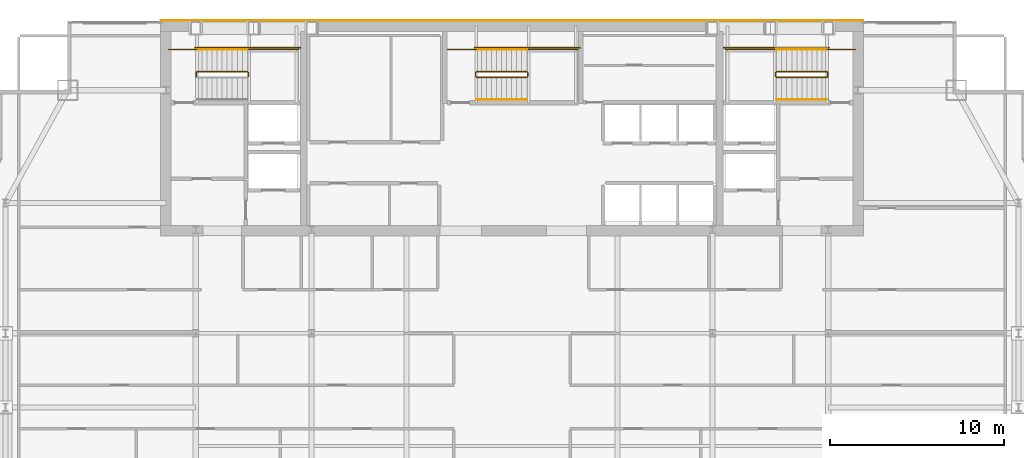
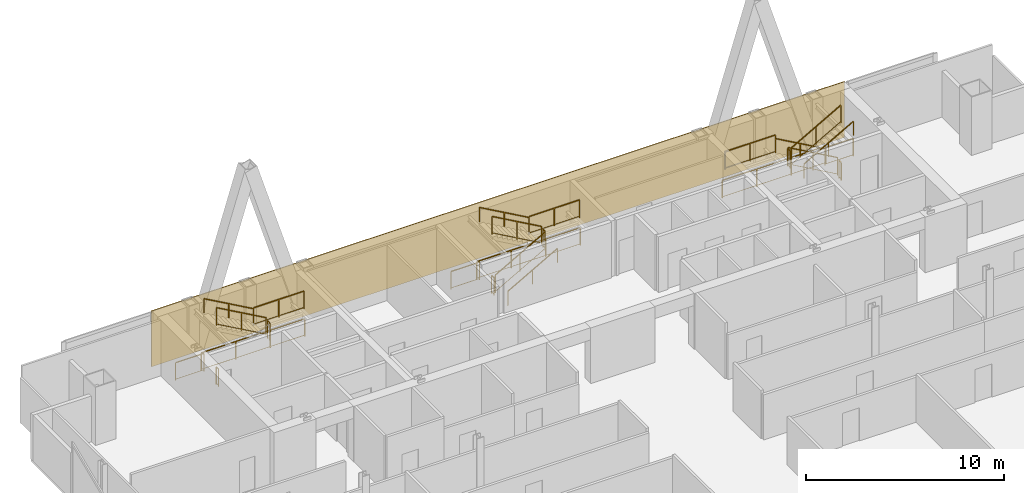
# One storey, part 32 of 32: 25 railings, 1 covering.
"""IFC4 building model written with IfcOpenShell, lengths in metres."""

from ifc_helpers import new_model, si_unit, direction, frame, origin, origin_2d, place, context, subcontext, project, spatial, polyline, rectangle, outline, extrude, material, layer, layer_set, type_object, element, save


model = new_model("IFC4")

# Units and contexts
model_context = context("Model", 3, precision=1e-05, world=origin(), true_north=direction((0.0, 1.0)))
body_context = subcontext(model_context, "Body", "Model", "MODEL_VIEW")
ifc_project = project(units=[si_unit("LENGTHUNIT", "METRE"), si_unit("AREAUNIT", "SQUARE_METRE"), si_unit("VOLUMEUNIT", "CUBIC_METRE"), si_unit("PLANEANGLEUNIT", "RADIAN"), si_unit("MASSUNIT", "GRAM", prefix="KILO")], contexts=[model_context])

# Site, building, storey
site_placement = place(None, origin())
site = spatial("IfcSite", under=ifc_project, at=site_placement, CompositionType="ELEMENT")
building_placement = place(site_placement, origin())
building = spatial("IfcBuilding", under=site, at=building_placement, Name="Khoronbel Lancet Exchange", CompositionType="ELEMENT")
storey_placement = place(building_placement, frame((0.0, 0.0, 221.0)))
storey = spatial("IfcBuildingStorey", under=building, at=storey_placement, Name="L56", CompositionType="ELEMENT", Elevation=221.0)

# Covering
ifc_material_1 = material(Name="Honed Egyptian Limestone & Bronze Rainscreen", Category="masonry")
ifc_layer = layer(ifc_material_1, 0.050048828125, Name="Honed Egyptian Limestone & Bronze Rainscreen")
ifc_layer_set = layer_set([ifc_layer], Name="Honed Egyptian Limestone & Bronze Rainscreen")
covering_type = type_object("IfcCoveringType", Name="COV-CLAD1", PredefinedType="CLADDING", material=ifc_layer_set)
covering_placement = place(storey_placement, origin())
element("IfcCovering", 1, at=covering_placement, inside=storey, type_object=covering_type, Name="Level L56 north rear-core stone and bronze rainscreen cladding", PredefinedType="CLADDING", context=body_context, shape_type="SweptSolid", body=[
    extrude(outline(polyline([(16.199951171875, 53.699951171875), (56.699951171875, 53.699951171875), (56.699951171875, 53.75), (16.199951171875, 53.75), (16.199951171875, 53.699951171875)])), origin(), (0.0, 0.0, 1.0), 3.43994140625),
])

# Railings
ifc_material_2 = material(Name="Painted Steel Balustrade", Category="steel")
railing_type_1 = type_object("IfcRailingType", Name="RL-STG110", PredefinedType="GUARDRAIL", material=ifc_material_2)
railing_1_placement = place(storey_placement, frame((21.25, 50.5, 1.800048828125)))
element("IfcRailing", 2, at=railing_1_placement, inside=storey, type_object=railing_type_1, Name="L56 ST1 stair guard 2", PredefinedType="GUARDRAIL", context=body_context, shape_type="SweptSolid", body=[
    extrude(rectangle(XDim=0.048095703125, YDim=0.048095703125, at=origin_2d()), frame((0.0, 0.0, 1.09619140625), z_axis=(0.0, 1.0, 0.0), x_axis=(-1.0, 0.0, 0.0)), (0.0, 0.0, 1.0), 0.219970703125),
    extrude(rectangle(XDim=0.02392578125, YDim=0.02392578125, at=origin_2d()), frame((0.0, 0.0, 0.080078125), z_axis=(0.0, 1.0, 0.0), x_axis=(-1.0, 0.0, 0.0)), (0.0, 0.0, 1.0), 0.219970703125),
    extrude(rectangle(XDim=0.0419921875, YDim=0.0419921875, at=origin_2d()), origin(), (0.0, 0.0, 1.0), 1.072021484375),
    extrude(rectangle(XDim=0.0419921875, YDim=0.0419921875, at=origin_2d()), frame((0.0, 0.219970703125, 0.0)), (0.0, 0.0, 1.0), 1.072021484375),
])
railing_2_placement = place(storey_placement, frame((21.199951171875, 52.050048828125, 1.800048828125)))
element("IfcRailing", 3, at=railing_2_placement, inside=storey, type_object=railing_type_1, Name="L56 ST1 stair guard 3", PredefinedType="GUARDRAIL", context=body_context, shape_type="SweptSolid", body=[
    extrude(rectangle(XDim=0.048095703125, YDim=0.048095703125, at=origin_2d()), frame((0.0, 0.0, 1.09619140625), z_axis=(1.0, 0.0, 0.0), x_axis=(0.0, 1.0, 0.0)), (0.0, 0.0, 1.0), 2.949951171875),
    extrude(rectangle(XDim=0.02392578125, YDim=0.02392578125, at=origin_2d()), frame((0.0, 0.0, 0.080078125), z_axis=(1.0, 0.0, 0.0), x_axis=(0.0, 1.0, 0.0)), (0.0, 0.0, 1.0), 2.949951171875),
    extrude(rectangle(XDim=0.0419921875, YDim=0.0419921875, at=origin_2d()), origin(), (0.0, 0.0, 1.0), 1.072021484375),
    extrude(rectangle(XDim=0.0419921875, YDim=0.0419921875, at=origin_2d()), frame((1.47509765625, 0.0, 0.0)), (0.0, 0.0, 1.0), 1.072021484375),
    extrude(rectangle(XDim=0.0419921875, YDim=0.0419921875, at=origin_2d()), frame((2.949951171875, 0.0, 0.0)), (0.0, 0.0, 1.0), 1.072021484375),
])
railing_3_placement = place(storey_placement, frame((21.199951171875, 50.77001953125, 1.963623046875)))
element("IfcRailing", 4, at=railing_3_placement, inside=storey, type_object=railing_type_1, Name="L56 ST1 stair guard 4", PredefinedType="GUARDRAIL", context=body_context, shape_type="SweptSolid", body=[
    extrude(rectangle(XDim=0.048095703125, YDim=0.048095703125, at=origin_2d()), frame((0.0, 0.0, 1.09619140625), z_axis=(-0.870897200241, 0.0, 0.491465224214), x_axis=(0.0, -1.0, 0.0)), (0.0, 0.0, 1.0), 3.329833984375),
    extrude(rectangle(XDim=0.02392578125, YDim=0.02392578125, at=origin_2d()), frame((0.0, 0.0, 0.080078125), z_axis=(-0.870897200241, 0.0, 0.491465224214), x_axis=(0.0, -1.0, 0.0)), (0.0, 0.0, 1.0), 3.329833984375),
    extrude(rectangle(XDim=0.0419921875, YDim=0.0419921875, at=origin_2d()), origin(), (0.0, 0.0, 1.0), 1.072021484375),
    extrude(rectangle(XDim=0.0419921875, YDim=0.0419921875, at=origin_2d()), frame((-1.449951171875, 0.0, 0.818359375)), (0.0, 0.0, 1.0), 1.072021484375),
    extrude(rectangle(XDim=0.0419921875, YDim=0.0419921875, at=origin_2d()), frame((-2.89990234375, 0.0, 1.636474609375)), (0.0, 0.0, 1.0), 1.072021484375),
])
railing_4_placement = place(storey_placement, frame((18.25, 50.5, 0.0)))
element("IfcRailing", 5, at=railing_4_placement, inside=storey, type_object=railing_type_1, Name="L56 ST1 stair guard 5", PredefinedType="GUARDRAIL", context=body_context, shape_type="SweptSolid", body=[
    extrude(rectangle(XDim=0.048095703125, YDim=0.048095703125, at=origin_2d()), frame((0.0, 0.0, 1.09619140625), z_axis=(0.0, 1.0, 0.0), x_axis=(-1.0, 0.0, 0.0)), (0.0, 0.0, 1.0), 0.219970703125),
    extrude(rectangle(XDim=0.02392578125, YDim=0.02392578125, at=origin_2d()), frame((0.0, 0.0, 0.080078125), z_axis=(0.0, 1.0, 0.0), x_axis=(-1.0, 0.0, 0.0)), (0.0, 0.0, 1.0), 0.219970703125),
    extrude(rectangle(XDim=0.0419921875, YDim=0.0419921875, at=origin_2d()), origin(), (0.0, 0.0, 1.0), 1.072021484375),
    extrude(rectangle(XDim=0.0419921875, YDim=0.0419921875, at=origin_2d()), frame((0.0, 0.219970703125, 0.0)), (0.0, 0.0, 1.0), 1.072021484375),
])
railing_5_placement = place(storey_placement, frame((16.64990234375, 52.050048828125, 0.0)))
element("IfcRailing", 6, at=railing_5_placement, inside=storey, type_object=railing_type_1, Name="L56 ST1 stair guard 6", PredefinedType="GUARDRAIL", context=body_context, shape_type="SweptSolid", body=[
    extrude(rectangle(XDim=0.048095703125, YDim=0.048095703125, at=origin_2d()), frame((0.0, 0.0, 1.09619140625), z_axis=(1.0, 0.0, 0.0), x_axis=(0.0, 1.0, 0.0)), (0.0, 0.0, 1.0), 1.650146484375),
    extrude(rectangle(XDim=0.02392578125, YDim=0.02392578125, at=origin_2d()), frame((0.0, 0.0, 0.080078125), z_axis=(1.0, 0.0, 0.0), x_axis=(0.0, 1.0, 0.0)), (0.0, 0.0, 1.0), 1.650146484375),
    extrude(rectangle(XDim=0.0419921875, YDim=0.0419921875, at=origin_2d()), origin(), (0.0, 0.0, 1.0), 1.072021484375),
    extrude(rectangle(XDim=0.0419921875, YDim=0.0419921875, at=origin_2d()), frame((1.650146484375, 0.0, 0.0)), (0.0, 0.0, 1.0), 1.072021484375),
])
railing_6_placement = place(storey_placement, frame((18.199951171875, 52.14990234375, 0.0)))
element("IfcRailing", 7, at=railing_6_placement, inside=storey, type_object=railing_type_1, Name="L56 ST1 stair guard 7", PredefinedType="GUARDRAIL", context=body_context, shape_type="SweptSolid", body=[
    extrude(rectangle(XDim=0.048095703125, YDim=0.048095703125, at=origin_2d()), frame((0.0, 0.0, 1.09619140625), z_axis=(1.0, 0.0, 0.0), x_axis=(0.0, 1.0, 0.0)), (0.0, 0.0, 1.0), 6.050048828125),
    extrude(rectangle(XDim=0.02392578125, YDim=0.02392578125, at=origin_2d()), frame((0.0, 0.0, 0.080078125), z_axis=(1.0, 0.0, 0.0), x_axis=(0.0, 1.0, 0.0)), (0.0, 0.0, 1.0), 6.050048828125),
    extrude(rectangle(XDim=0.0419921875, YDim=0.0419921875, at=origin_2d()), origin(), (0.0, 0.0, 1.0), 1.072021484375),
    extrude(rectangle(XDim=0.0419921875, YDim=0.0419921875, at=origin_2d()), frame((2.0166015625, 0.0, 0.0)), (0.0, 0.0, 1.0), 1.072021484375),
    extrude(rectangle(XDim=0.0419921875, YDim=0.0419921875, at=origin_2d()), frame((4.033447265625, 0.0, 0.0)), (0.0, 0.0, 1.0), 1.072021484375),
    extrude(rectangle(XDim=0.0419921875, YDim=0.0419921875, at=origin_2d()), frame((6.050048828125, 0.0, 0.0)), (0.0, 0.0, 1.0), 1.072021484375),
])
railing_7_placement = place(storey_placement, frame((54.60009765625, 50.77001953125, 0.16357421875)))
element("IfcRailing", 8, at=railing_7_placement, inside=storey, type_object=railing_type_1, Name="L56 ST2 stair guard 1", PredefinedType="GUARDRAIL", context=body_context, shape_type="SweptSolid", body=[
    extrude(rectangle(XDim=0.048095703125, YDim=0.048095703125, at=origin_2d()), frame((0.0, 0.0, 1.09619140625), z_axis=(-0.870914908162, 0.0, 0.491433843708), x_axis=(0.0, -1.0, 0.0)), (0.0, 0.0, 1.0), 3.330078125),
    extrude(rectangle(XDim=0.02392578125, YDim=0.02392578125, at=origin_2d()), frame((0.0, 0.0, 0.080078125), z_axis=(-0.870914908162, 0.0, 0.491433843708), x_axis=(0.0, -1.0, 0.0)), (0.0, 0.0, 1.0), 3.330078125),
    extrude(rectangle(XDim=0.0419921875, YDim=0.0419921875, at=origin_2d()), origin(), (0.0, 0.0, 1.0), 1.072021484375),
    extrude(rectangle(XDim=0.0419921875, YDim=0.0419921875, at=origin_2d()), frame((-1.4501953125, 0.0, 0.818359375)), (0.0, 0.0, 1.0), 1.072021484375),
    extrude(rectangle(XDim=0.0419921875, YDim=0.0419921875, at=origin_2d()), frame((-2.900146484375, 0.0, 1.636474609375)), (0.0, 0.0, 1.0), 1.072021484375),
])
railing_8_placement = place(storey_placement, frame((51.64990234375, 50.719970703125, 1.800048828125)))
element("IfcRailing", 9, at=railing_8_placement, inside=storey, type_object=railing_type_1, Name="L56 ST2 stair guard 2", PredefinedType="GUARDRAIL", context=body_context, shape_type="SweptSolid", body=[
    extrude(rectangle(XDim=0.048095703125, YDim=0.048095703125, at=origin_2d()), frame((0.0, 0.0, 1.09619140625), z_axis=(0.0, -1.0, 0.0), x_axis=(1.0, 0.0, 0.0)), (0.0, 0.0, 1.0), 0.219970703125),
    extrude(rectangle(XDim=0.02392578125, YDim=0.02392578125, at=origin_2d()), frame((0.0, 0.0, 0.080078125), z_axis=(0.0, -1.0, 0.0), x_axis=(1.0, 0.0, 0.0)), (0.0, 0.0, 1.0), 0.219970703125),
    extrude(rectangle(XDim=0.0419921875, YDim=0.0419921875, at=origin_2d()), origin(), (0.0, 0.0, 1.0), 1.072021484375),
    extrude(rectangle(XDim=0.0419921875, YDim=0.0419921875, at=origin_2d()), frame((0.0, -0.219970703125, 0.0)), (0.0, 0.0, 1.0), 1.072021484375),
])
railing_9_placement = place(storey_placement, frame((51.699951171875, 52.050048828125, 1.800048828125)))
element("IfcRailing", 10, at=railing_9_placement, inside=storey, type_object=railing_type_1, Name="L56 ST2 stair guard 3", PredefinedType="GUARDRAIL", context=body_context, shape_type="SweptSolid", body=[
    extrude(rectangle(XDim=0.048095703125, YDim=0.048095703125, at=origin_2d()), frame((0.0, 0.0, 1.09619140625), z_axis=(-1.0, 0.0, 0.0), x_axis=(0.0, -1.0, 0.0)), (0.0, 0.0, 1.0), 2.949951171875),
    extrude(rectangle(XDim=0.02392578125, YDim=0.02392578125, at=origin_2d()), frame((0.0, 0.0, 0.080078125), z_axis=(-1.0, 0.0, 0.0), x_axis=(0.0, -1.0, 0.0)), (0.0, 0.0, 1.0), 2.949951171875),
    extrude(rectangle(XDim=0.0419921875, YDim=0.0419921875, at=origin_2d()), origin(), (0.0, 0.0, 1.0), 1.072021484375),
    extrude(rectangle(XDim=0.0419921875, YDim=0.0419921875, at=origin_2d()), frame((-1.47509765625, 0.0, 0.0)), (0.0, 0.0, 1.0), 1.072021484375),
    extrude(rectangle(XDim=0.0419921875, YDim=0.0419921875, at=origin_2d()), frame((-2.949951171875, 0.0, 0.0)), (0.0, 0.0, 1.0), 1.072021484375),
])
railing_10_placement = place(storey_placement, frame((51.699951171875, 50.449951171875, 1.963623046875)))
element("IfcRailing", 11, at=railing_10_placement, inside=storey, type_object=railing_type_1, Name="L56 ST2 stair guard 4", PredefinedType="GUARDRAIL", context=body_context, shape_type="SweptSolid", body=[
    extrude(rectangle(XDim=0.048095703125, YDim=0.048095703125, at=origin_2d()), frame((0.0, 0.0, 1.09619140625), z_axis=(0.870914908162, 0.0, 0.491433843708), x_axis=(0.0, 1.0, 0.0)), (0.0, 0.0, 1.0), 3.330078125),
    extrude(rectangle(XDim=0.02392578125, YDim=0.02392578125, at=origin_2d()), frame((0.0, 0.0, 0.080078125), z_axis=(0.870914908162, 0.0, 0.491433843708), x_axis=(0.0, 1.0, 0.0)), (0.0, 0.0, 1.0), 3.330078125),
    extrude(rectangle(XDim=0.0419921875, YDim=0.0419921875, at=origin_2d()), origin(), (0.0, 0.0, 1.0), 1.072021484375),
    extrude(rectangle(XDim=0.0419921875, YDim=0.0419921875, at=origin_2d()), frame((1.4501953125, 0.0, 0.818359375)), (0.0, 0.0, 1.0), 1.072021484375),
    extrude(rectangle(XDim=0.0419921875, YDim=0.0419921875, at=origin_2d()), frame((2.900146484375, 0.0, 1.636474609375)), (0.0, 0.0, 1.0), 1.072021484375),
])
railing_11_placement = place(storey_placement, frame((54.64990234375, 50.719970703125, 0.0)))
element("IfcRailing", 12, at=railing_11_placement, inside=storey, type_object=railing_type_1, Name="L56 ST2 stair guard 5", PredefinedType="GUARDRAIL", context=body_context, shape_type="SweptSolid", body=[
    extrude(rectangle(XDim=0.048095703125, YDim=0.048095703125, at=origin_2d()), frame((0.0, 0.0, 1.09619140625), z_axis=(0.0, -1.0, 0.0), x_axis=(1.0, 0.0, 0.0)), (0.0, 0.0, 1.0), 0.219970703125),
    extrude(rectangle(XDim=0.02392578125, YDim=0.02392578125, at=origin_2d()), frame((0.0, 0.0, 0.080078125), z_axis=(0.0, -1.0, 0.0), x_axis=(1.0, 0.0, 0.0)), (0.0, 0.0, 1.0), 0.219970703125),
    extrude(rectangle(XDim=0.0419921875, YDim=0.0419921875, at=origin_2d()), origin(), (0.0, 0.0, 1.0), 1.072021484375),
    extrude(rectangle(XDim=0.0419921875, YDim=0.0419921875, at=origin_2d()), frame((0.0, -0.219970703125, 0.0)), (0.0, 0.0, 1.0), 1.072021484375),
])
railing_12_placement = place(storey_placement, frame((56.25, 52.050048828125, 0.0)))
element("IfcRailing", 13, at=railing_12_placement, inside=storey, type_object=railing_type_1, Name="L56 ST2 stair guard 6", PredefinedType="GUARDRAIL", context=body_context, shape_type="SweptSolid", body=[
    extrude(rectangle(XDim=0.048095703125, YDim=0.048095703125, at=origin_2d()), frame((0.0, 0.0, 1.09619140625), z_axis=(-1.0, 0.0, 0.0), x_axis=(0.0, -1.0, 0.0)), (0.0, 0.0, 1.0), 1.64990234375),
    extrude(rectangle(XDim=0.02392578125, YDim=0.02392578125, at=origin_2d()), frame((0.0, 0.0, 0.080078125), z_axis=(-1.0, 0.0, 0.0), x_axis=(0.0, -1.0, 0.0)), (0.0, 0.0, 1.0), 1.64990234375),
    extrude(rectangle(XDim=0.0419921875, YDim=0.0419921875, at=origin_2d()), origin(), (0.0, 0.0, 1.0), 1.072021484375),
    extrude(rectangle(XDim=0.0419921875, YDim=0.0419921875, at=origin_2d()), frame((-1.64990234375, 0.0, 0.0)), (0.0, 0.0, 1.0), 1.072021484375),
])
railing_13_placement = place(storey_placement, frame((54.699951171875, 52.14990234375, 0.0)))
element("IfcRailing", 14, at=railing_13_placement, inside=storey, type_object=railing_type_1, Name="L56 ST2 stair guard 7", PredefinedType="GUARDRAIL", context=body_context, shape_type="SweptSolid", body=[
    extrude(rectangle(XDim=0.048095703125, YDim=0.048095703125, at=origin_2d()), frame((0.0, 0.0, 1.09619140625), z_axis=(-1.0, 0.0, 0.0), x_axis=(0.0, -1.0, 0.0)), (0.0, 0.0, 1.0), 6.050048828125),
    extrude(rectangle(XDim=0.02392578125, YDim=0.02392578125, at=origin_2d()), frame((0.0, 0.0, 0.080078125), z_axis=(-1.0, 0.0, 0.0), x_axis=(0.0, -1.0, 0.0)), (0.0, 0.0, 1.0), 6.050048828125),
    extrude(rectangle(XDim=0.0419921875, YDim=0.0419921875, at=origin_2d()), origin(), (0.0, 0.0, 1.0), 1.072021484375),
    extrude(rectangle(XDim=0.0419921875, YDim=0.0419921875, at=origin_2d()), frame((-2.0166015625, 0.0, 0.0)), (0.0, 0.0, 1.0), 1.072021484375),
    extrude(rectangle(XDim=0.0419921875, YDim=0.0419921875, at=origin_2d()), frame((-4.033447265625, 0.0, 0.0)), (0.0, 0.0, 1.0), 1.072021484375),
    extrude(rectangle(XDim=0.0419921875, YDim=0.0419921875, at=origin_2d()), frame((-6.050048828125, 0.0, 0.0)), (0.0, 0.0, 1.0), 1.072021484375),
])
railing_14_placement = place(storey_placement, frame((34.39990234375, 50.449951171875, 0.16357421875)))
element("IfcRailing", 15, at=railing_14_placement, inside=storey, type_object=railing_type_1, Name="L56 ST3 stair guard 1", PredefinedType="GUARDRAIL", context=body_context, shape_type="SweptSolid", body=[
    extrude(rectangle(XDim=0.048095703125, YDim=0.048095703125, at=origin_2d()), frame((0.0, 0.0, 1.09619140625), z_axis=(0.870914908162, 0.0, 0.491433843708), x_axis=(0.0, 1.0, 0.0)), (0.0, 0.0, 1.0), 3.330078125),
    extrude(rectangle(XDim=0.02392578125, YDim=0.02392578125, at=origin_2d()), frame((0.0, 0.0, 0.080078125), z_axis=(0.870914908162, 0.0, 0.491433843708), x_axis=(0.0, 1.0, 0.0)), (0.0, 0.0, 1.0), 3.330078125),
    extrude(rectangle(XDim=0.0419921875, YDim=0.0419921875, at=origin_2d()), origin(), (0.0, 0.0, 1.0), 1.072021484375),
    extrude(rectangle(XDim=0.0419921875, YDim=0.0419921875, at=origin_2d()), frame((1.4501953125, 0.0, 0.818359375)), (0.0, 0.0, 1.0), 1.072021484375),
    extrude(rectangle(XDim=0.0419921875, YDim=0.0419921875, at=origin_2d()), frame((2.900146484375, 0.0, 1.636474609375)), (0.0, 0.0, 1.0), 1.072021484375),
])
railing_15_placement = place(storey_placement, frame((37.35009765625, 50.5, 1.800048828125)))
element("IfcRailing", 16, at=railing_15_placement, inside=storey, type_object=railing_type_1, Name="L56 ST3 stair guard 2", PredefinedType="GUARDRAIL", context=body_context, shape_type="SweptSolid", body=[
    extrude(rectangle(XDim=0.048095703125, YDim=0.048095703125, at=origin_2d()), frame((0.0, 0.0, 1.09619140625), z_axis=(0.0, 1.0, 0.0), x_axis=(-1.0, 0.0, 0.0)), (0.0, 0.0, 1.0), 0.219970703125),
    extrude(rectangle(XDim=0.02392578125, YDim=0.02392578125, at=origin_2d()), frame((0.0, 0.0, 0.080078125), z_axis=(0.0, 1.0, 0.0), x_axis=(-1.0, 0.0, 0.0)), (0.0, 0.0, 1.0), 0.219970703125),
    extrude(rectangle(XDim=0.0419921875, YDim=0.0419921875, at=origin_2d()), origin(), (0.0, 0.0, 1.0), 1.072021484375),
    extrude(rectangle(XDim=0.0419921875, YDim=0.0419921875, at=origin_2d()), frame((0.0, 0.219970703125, 0.0)), (0.0, 0.0, 1.0), 1.072021484375),
])
railing_16_placement = place(storey_placement, frame((37.300048828125, 52.050048828125, 1.800048828125)))
element("IfcRailing", 17, at=railing_16_placement, inside=storey, type_object=railing_type_1, Name="L56 ST3 stair guard 3", PredefinedType="GUARDRAIL", context=body_context, shape_type="SweptSolid", body=[
    extrude(rectangle(XDim=0.048095703125, YDim=0.048095703125, at=origin_2d()), frame((0.0, 0.0, 1.09619140625), z_axis=(1.0, 0.0, 0.0), x_axis=(0.0, 1.0, 0.0)), (0.0, 0.0, 1.0), 2.949951171875),
    extrude(rectangle(XDim=0.02392578125, YDim=0.02392578125, at=origin_2d()), frame((0.0, 0.0, 0.080078125), z_axis=(1.0, 0.0, 0.0), x_axis=(0.0, 1.0, 0.0)), (0.0, 0.0, 1.0), 2.949951171875),
    extrude(rectangle(XDim=0.0419921875, YDim=0.0419921875, at=origin_2d()), origin(), (0.0, 0.0, 1.0), 1.072021484375),
    extrude(rectangle(XDim=0.0419921875, YDim=0.0419921875, at=origin_2d()), frame((1.47509765625, 0.0, 0.0)), (0.0, 0.0, 1.0), 1.072021484375),
    extrude(rectangle(XDim=0.0419921875, YDim=0.0419921875, at=origin_2d()), frame((2.949951171875, 0.0, 0.0)), (0.0, 0.0, 1.0), 1.072021484375),
])
railing_17_placement = place(storey_placement, frame((37.300048828125, 50.77001953125, 1.963623046875)))
element("IfcRailing", 18, at=railing_17_placement, inside=storey, type_object=railing_type_1, Name="L56 ST3 stair guard 4", PredefinedType="GUARDRAIL", context=body_context, shape_type="SweptSolid", body=[
    extrude(rectangle(XDim=0.048095703125, YDim=0.048095703125, at=origin_2d()), frame((0.0, 0.0, 1.09619140625), z_axis=(-0.870914908162, 0.0, 0.491433843708), x_axis=(0.0, -1.0, 0.0)), (0.0, 0.0, 1.0), 3.330078125),
    extrude(rectangle(XDim=0.02392578125, YDim=0.02392578125, at=origin_2d()), frame((0.0, 0.0, 0.080078125), z_axis=(-0.870914908162, 0.0, 0.491433843708), x_axis=(0.0, -1.0, 0.0)), (0.0, 0.0, 1.0), 3.330078125),
    extrude(rectangle(XDim=0.0419921875, YDim=0.0419921875, at=origin_2d()), origin(), (0.0, 0.0, 1.0), 1.072021484375),
    extrude(rectangle(XDim=0.0419921875, YDim=0.0419921875, at=origin_2d()), frame((-1.4501953125, 0.0, 0.818359375)), (0.0, 0.0, 1.0), 1.072021484375),
    extrude(rectangle(XDim=0.0419921875, YDim=0.0419921875, at=origin_2d()), frame((-2.900146484375, 0.0, 1.636474609375)), (0.0, 0.0, 1.0), 1.072021484375),
])
railing_18_placement = place(storey_placement, frame((34.35009765625, 50.5, 0.0)))
element("IfcRailing", 19, at=railing_18_placement, inside=storey, type_object=railing_type_1, Name="L56 ST3 stair guard 5", PredefinedType="GUARDRAIL", context=body_context, shape_type="SweptSolid", body=[
    extrude(rectangle(XDim=0.048095703125, YDim=0.048095703125, at=origin_2d()), frame((0.0, 0.0, 1.09619140625), z_axis=(0.0, 1.0, 0.0), x_axis=(-1.0, 0.0, 0.0)), (0.0, 0.0, 1.0), 0.219970703125),
    extrude(rectangle(XDim=0.02392578125, YDim=0.02392578125, at=origin_2d()), frame((0.0, 0.0, 0.080078125), z_axis=(0.0, 1.0, 0.0), x_axis=(-1.0, 0.0, 0.0)), (0.0, 0.0, 1.0), 0.219970703125),
    extrude(rectangle(XDim=0.0419921875, YDim=0.0419921875, at=origin_2d()), origin(), (0.0, 0.0, 1.0), 1.072021484375),
    extrude(rectangle(XDim=0.0419921875, YDim=0.0419921875, at=origin_2d()), frame((0.0, 0.219970703125, 0.0)), (0.0, 0.0, 1.0), 1.072021484375),
])
railing_19_placement = place(storey_placement, frame((32.75, 52.050048828125, 0.0)))
element("IfcRailing", 20, at=railing_19_placement, inside=storey, type_object=railing_type_1, Name="L56 ST3 stair guard 6", PredefinedType="GUARDRAIL", context=body_context, shape_type="SweptSolid", body=[
    extrude(rectangle(XDim=0.048095703125, YDim=0.048095703125, at=origin_2d()), frame((0.0, 0.0, 1.09619140625), z_axis=(1.0, 0.0, 0.0), x_axis=(0.0, 1.0, 0.0)), (0.0, 0.0, 1.0), 1.64990234375),
    extrude(rectangle(XDim=0.02392578125, YDim=0.02392578125, at=origin_2d()), frame((0.0, 0.0, 0.080078125), z_axis=(1.0, 0.0, 0.0), x_axis=(0.0, 1.0, 0.0)), (0.0, 0.0, 1.0), 1.64990234375),
    extrude(rectangle(XDim=0.0419921875, YDim=0.0419921875, at=origin_2d()), origin(), (0.0, 0.0, 1.0), 1.072021484375),
    extrude(rectangle(XDim=0.0419921875, YDim=0.0419921875, at=origin_2d()), frame((1.64990234375, 0.0, 0.0)), (0.0, 0.0, 1.0), 1.072021484375),
])
railing_20_placement = place(storey_placement, frame((34.300048828125, 52.14990234375, 0.0)))
element("IfcRailing", 21, at=railing_20_placement, inside=storey, type_object=railing_type_1, Name="L56 ST3 stair guard 7", PredefinedType="GUARDRAIL", context=body_context, shape_type="SweptSolid", body=[
    extrude(rectangle(XDim=0.048095703125, YDim=0.048095703125, at=origin_2d()), frame((0.0, 0.0, 1.09619140625), z_axis=(1.0, 0.0, 0.0), x_axis=(0.0, 1.0, 0.0)), (0.0, 0.0, 1.0), 6.050048828125),
    extrude(rectangle(XDim=0.02392578125, YDim=0.02392578125, at=origin_2d()), frame((0.0, 0.0, 0.080078125), z_axis=(1.0, 0.0, 0.0), x_axis=(0.0, 1.0, 0.0)), (0.0, 0.0, 1.0), 6.050048828125),
    extrude(rectangle(XDim=0.0419921875, YDim=0.0419921875, at=origin_2d()), origin(), (0.0, 0.0, 1.0), 1.072021484375),
    extrude(rectangle(XDim=0.0419921875, YDim=0.0419921875, at=origin_2d()), frame((2.0166015625, 0.0, 0.0)), (0.0, 0.0, 1.0), 1.072021484375),
    extrude(rectangle(XDim=0.0419921875, YDim=0.0419921875, at=origin_2d()), frame((4.033447265625, 0.0, 0.0)), (0.0, 0.0, 1.0), 1.072021484375),
    extrude(rectangle(XDim=0.0419921875, YDim=0.0419921875, at=origin_2d()), frame((6.050048828125, 0.0, 0.0)), (0.0, 0.0, 1.0), 1.072021484375),
])
ifc_material_3 = material(Name="Brushed Stainless Steel 316", Category="steel")
railing_type_2 = type_object("IfcRailingType", Name="RL-STH92", PredefinedType="HANDRAIL", material=ifc_material_3)
railing_21_placement = place(storey_placement, frame((21.199951171875, 52.050048828125, 1.963623046875)))
element("IfcRailing", 22, at=railing_21_placement, inside=storey, type_object=railing_type_2, Name="L56 ST1 stair handrail 2", PredefinedType="HANDRAIL", context=body_context, shape_type="SweptSolid", body=[
    extrude(rectangle(XDim=0.048095703125, YDim=0.048095703125, at=origin_2d()), frame((0.0, 0.0, 0.8759765625), z_axis=(-0.870897200241, 0.0, 0.491465224214), x_axis=(0.0, -1.0, 0.0)), (0.0, 0.0, 1.0), 3.329833984375),
    extrude(rectangle(XDim=0.0419921875, YDim=0.0419921875, at=origin_2d()), origin(), (0.0, 0.0, 1.0), 0.851806640625),
    extrude(rectangle(XDim=0.0419921875, YDim=0.0419921875, at=origin_2d()), frame((-1.449951171875, 0.0, 0.818359375)), (0.0, 0.0, 1.0), 0.851806640625),
    extrude(rectangle(XDim=0.0419921875, YDim=0.0419921875, at=origin_2d()), frame((-2.89990234375, 0.0, 1.636474609375)), (0.0, 0.0, 1.0), 0.851806640625),
])
railing_22_placement = place(storey_placement, frame((54.60009765625, 52.050048828125, 0.16357421875)))
element("IfcRailing", 23, at=railing_22_placement, inside=storey, type_object=railing_type_2, Name="L56 ST2 stair handrail 1", PredefinedType="HANDRAIL", context=body_context, shape_type="SweptSolid", body=[
    extrude(rectangle(XDim=0.048095703125, YDim=0.048095703125, at=origin_2d()), frame((0.0, 0.0, 0.8759765625), z_axis=(-0.870914908162, 0.0, 0.491433843708), x_axis=(0.0, -1.0, 0.0)), (0.0, 0.0, 1.0), 3.330078125),
    extrude(rectangle(XDim=0.0419921875, YDim=0.0419921875, at=origin_2d()), origin(), (0.0, 0.0, 1.0), 0.851806640625),
    extrude(rectangle(XDim=0.0419921875, YDim=0.0419921875, at=origin_2d()), frame((-1.4501953125, 0.0, 0.818359375)), (0.0, 0.0, 1.0), 0.851806640625),
    extrude(rectangle(XDim=0.0419921875, YDim=0.0419921875, at=origin_2d()), frame((-2.900146484375, 0.0, 1.636474609375)), (0.0, 0.0, 1.0), 0.851806640625),
])
for number, where, name in (
    (24, (51.699951171875, 49.169921875, 1.963623046875), "L56 ST2 stair handrail 2"),
    (25, (34.39990234375, 49.169921875, 0.16357421875), "L56 ST3 stair handrail 1"),
):
    element("IfcRailing", number, at=place(storey_placement, frame(where)), inside=storey, type_object=railing_type_2, Name=name, PredefinedType="HANDRAIL", context=body_context, shape_type="SweptSolid", body=[
        extrude(rectangle(XDim=0.048095703125, YDim=0.048095703125, at=origin_2d()), frame((0.0, 0.0, 0.8759765625), z_axis=(0.870914908162, 0.0, 0.491433843708), x_axis=(0.0, 1.0, 0.0)), (0.0, 0.0, 1.0), 3.330078125),
        extrude(rectangle(XDim=0.0419921875, YDim=0.0419921875, at=origin_2d()), origin(), (0.0, 0.0, 1.0), 0.851806640625),
        extrude(rectangle(XDim=0.0419921875, YDim=0.0419921875, at=origin_2d()), frame((1.4501953125, 0.0, 0.818359375)), (0.0, 0.0, 1.0), 0.851806640625),
        extrude(rectangle(XDim=0.0419921875, YDim=0.0419921875, at=origin_2d()), frame((2.900146484375, 0.0, 1.636474609375)), (0.0, 0.0, 1.0), 0.851806640625),
    ])
railing_23_placement = place(storey_placement, frame((37.300048828125, 52.050048828125, 1.963623046875)))
element("IfcRailing", 26, at=railing_23_placement, inside=storey, type_object=railing_type_2, Name="L56 ST3 stair handrail 2", PredefinedType="HANDRAIL", context=body_context, shape_type="SweptSolid", body=[
    extrude(rectangle(XDim=0.048095703125, YDim=0.048095703125, at=origin_2d()), frame((0.0, 0.0, 0.8759765625), z_axis=(-0.870914908162, 0.0, 0.491433843708), x_axis=(0.0, -1.0, 0.0)), (0.0, 0.0, 1.0), 3.330078125),
    extrude(rectangle(XDim=0.0419921875, YDim=0.0419921875, at=origin_2d()), origin(), (0.0, 0.0, 1.0), 0.851806640625),
    extrude(rectangle(XDim=0.0419921875, YDim=0.0419921875, at=origin_2d()), frame((-1.4501953125, 0.0, 0.818359375)), (0.0, 0.0, 1.0), 0.851806640625),
    extrude(rectangle(XDim=0.0419921875, YDim=0.0419921875, at=origin_2d()), frame((-2.900146484375, 0.0, 1.636474609375)), (0.0, 0.0, 1.0), 0.851806640625),
])

save(model, "model.ifc")
